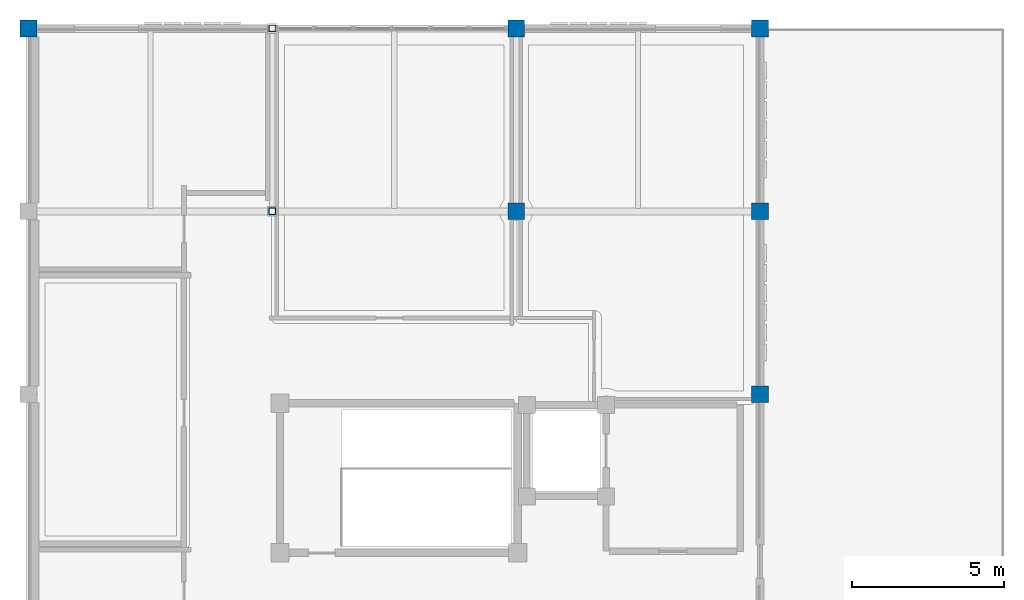
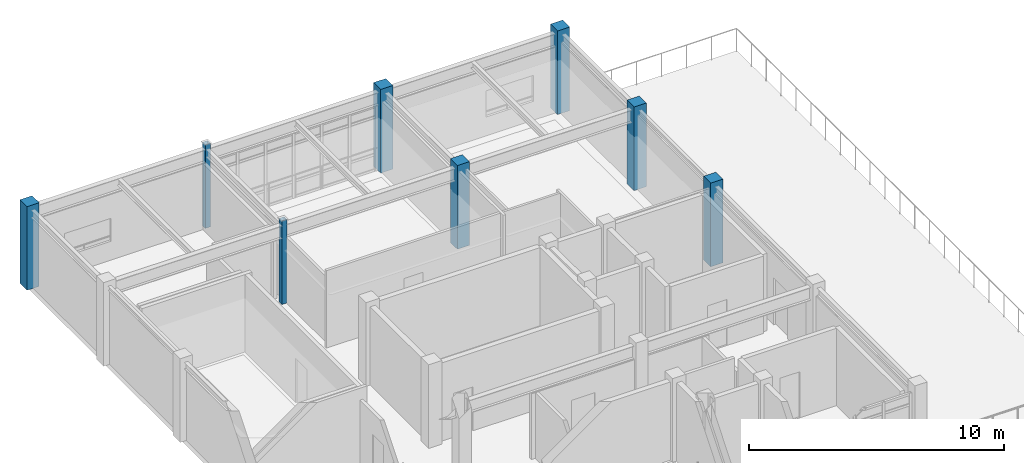
# One storey, part 2 of 11: 8 columns.
"""IFC4 building model written with IfcOpenShell, lengths in metres."""

from ifc_helpers import new_model, si_unit, direction, frame, origin, origin_2d, place, context, subcontext, project, spatial, rectangle, hollow_rectangle, extrude, material, material_profile, profile_set, type_object, element, save


model = new_model("IFC4")

# Units and contexts
model_context = context("Model", 3, precision=1e-05, world=origin(), true_north=direction((0.0, 1.0)))
body_context = subcontext(model_context, "Body", "Model", "MODEL_VIEW")
ifc_project = project(units=[si_unit("LENGTHUNIT", "METRE"), si_unit("AREAUNIT", "SQUARE_METRE"), si_unit("VOLUMEUNIT", "CUBIC_METRE"), si_unit("PLANEANGLEUNIT", "RADIAN"), si_unit("MASSUNIT", "GRAM", prefix="KILO")], contexts=[model_context])

# Site, building, storey
site_placement = place(None, origin())
site = spatial("IfcSite", under=ifc_project, at=site_placement, CompositionType="ELEMENT")
building_placement = place(site_placement, origin())
building = spatial("IfcBuilding", under=site, at=building_placement, Name="Celadon Cloister-Ring School", CompositionType="ELEMENT")
storey_placement = place(building_placement, frame((0.0, 0.0, 20.5)))
storey = spatial("IfcBuildingStorey", under=building, at=storey_placement, Name="L05", CompositionType="ELEMENT", Elevation=20.5)

# Columns
ifc_material_1 = material(Name="Concrete C40/50", Category="concrete")
ifc_material_profile_1 = material_profile(ifc_material_1, rectangle(XDim=0.550048828125, YDim=0.550048828125, at=origin_2d()), Name="RC550X550")
ifc_profile_set_1 = profile_set([ifc_material_profile_1], Name="Concrete C40/50")
column_type_1 = type_object("IfcColumnType", Name="CT-05", PredefinedType="COLUMN", material=ifc_profile_set_1)
for number, where, z_axis, x_axis, name in (
    (1, (16.0, 62.0, 0.0), (0.0, 0.0, 1.0), (1.0, 0.0, 0.0), "Column 1103"),
    (2, (16.0, 68.0, 0.0), (0.0, 0.0, 1.0), (1.0, 0.0, 0.0), "Column 1109"),
    (3, (24.0, 56.0, 0.0), (0.0, 0.0, 1.0), (1.0, 0.0, 0.0), "Column 1131"),
    (4, (24.0, 62.0, 0.0), (0.0, 0.0, 1.0), (1.0, 0.0, 0.0), "Column 1137"),
    (5, (24.0, 68.0, 0.0), (0.0, 0.0, 1.0), (1.0, 0.0, 0.0), "Column 1143"),
):
    element("IfcColumn", number, at=place(storey_placement, frame(where, z_axis=z_axis, x_axis=x_axis)), inside=storey, type_object=column_type_1, Name=name, PredefinedType="COLUMN", context=body_context, shape_type="SweptSolid", body=[
        extrude(rectangle(XDim=0.550048828125, YDim=0.550048828125, at=origin_2d()), origin(), (0.0, 0.0, 1.0), 4.0),
    ])
ifc_material_2 = material(Name="Structural steel S355JR", Category="steel")
ifc_material_profile_2 = material_profile(ifc_material_2, hollow_rectangle(XDim=0.219970703125, YDim=0.219970703125, WallThickness=0.010009765625, at=origin_2d()), Name="HSS220X220X10")
ifc_profile_set_2 = profile_set([ifc_material_profile_2], Name="Structural steel S355JR")
column_type_2 = type_object("IfcColumnType", Name="CT-09", PredefinedType="COLUMN", material=ifc_profile_set_2)
for number, where, z_axis, x_axis, name in (
    (6, (8.0, 62.0, 0.0), (0.0, 0.0, 1.0), (1.0, 0.0, 0.0), "Column 1188"),
    (7, (8.0, 68.0, 0.0), (0.0, 0.0, 1.0), (1.0, 0.0, 0.0), "Column 1194"),
):
    element("IfcColumn", number, at=place(storey_placement, frame(where, z_axis=z_axis, x_axis=x_axis)), inside=storey, type_object=column_type_2, Name=name, PredefinedType="COLUMN", context=body_context, shape_type="SweptSolid", body=[
        extrude(hollow_rectangle(XDim=0.219970703125, YDim=0.219970703125, WallThickness=0.010009765625, at=origin_2d()), origin(), (0.0, 0.0, 1.0), 4.0),
    ])
ifc_material_3 = material(Name="Concrete C40/50", Category="concrete")
ifc_material_profile_3 = material_profile(ifc_material_3, rectangle(XDim=0.550048828125, YDim=0.550048828125, at=origin_2d()), Name="RC550X550")
ifc_profile_set_3 = profile_set([ifc_material_profile_3], Name="Concrete C40/50")
column_type_3 = type_object("IfcColumnType", Name="CT-24", PredefinedType="COLUMN", material=ifc_profile_set_3)
column_placement = place(storey_placement, frame((0.0, 68.0, 0.0), z_axis=(0.0, 0.0, 1.0), x_axis=(1.0, 0.0, 0.0)))
element("IfcColumn", 8, at=column_placement, inside=storey, type_object=column_type_3, Name="Column 1087", PredefinedType="COLUMN", context=body_context, shape_type="SweptSolid", body=[
    extrude(rectangle(XDim=0.550048828125, YDim=0.550048828125, at=origin_2d()), origin(), (0.0, 0.0, 1.0), 4.0),
])

save(model, "model.ifc")
